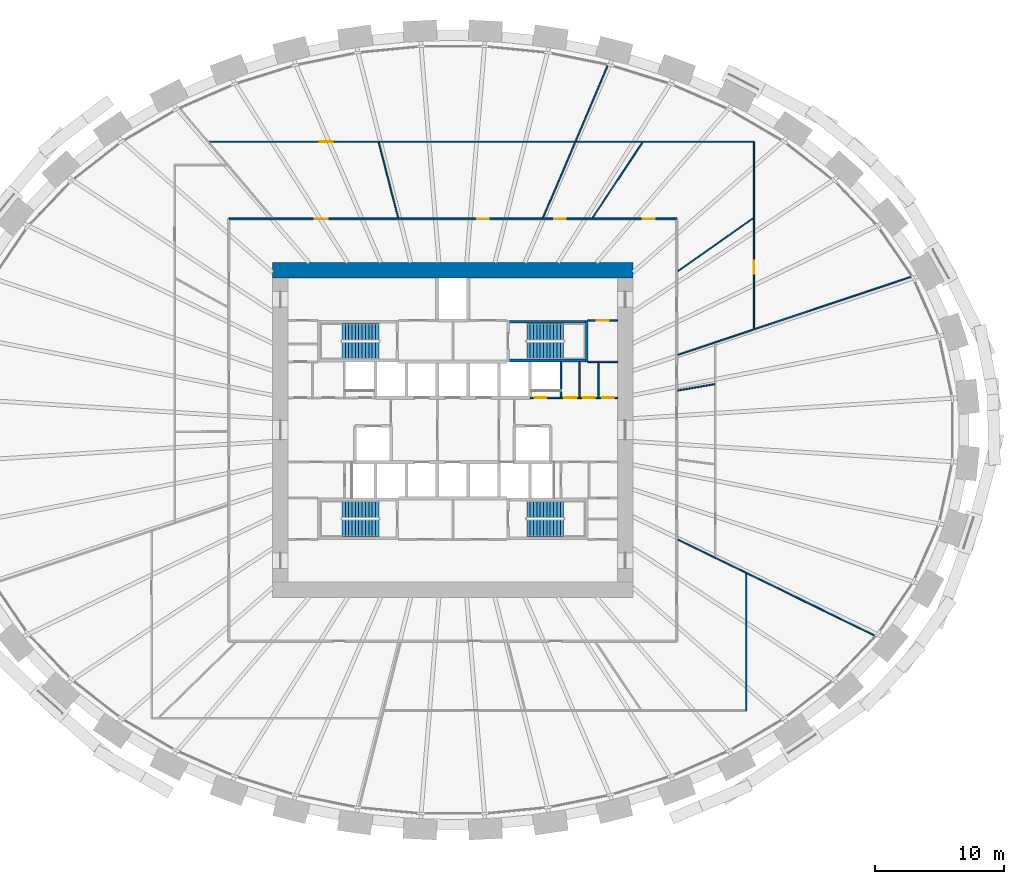
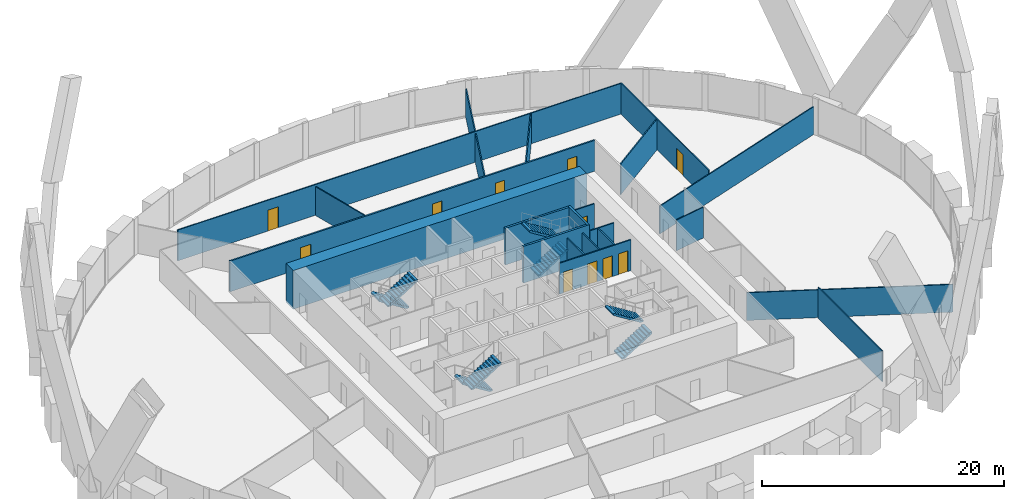
# One storey, part 10 of 12: 21 walls, 11 doors, 8 stair flights, 11 openings, 4 elements without a shape of their own.
"""IFC4 building model written with IfcOpenShell, lengths in metres."""

from ifc_helpers import new_model, si_unit, direction, frame, frame_2d, origin, place, context, subcontext, project, spatial, polyline, rectangle, outline, extrude, source, transform, mapped, material, layer, layer_set, type_object, element, fill, aggregate, save


model = new_model("IFC4")

# Units and contexts
model_context = context("Model", 3, precision=1e-05, world=origin(), true_north=direction((0.0, 1.0)))
body_context = subcontext(model_context, "Body", "Model", "MODEL_VIEW")
ifc_project = project(units=[si_unit("LENGTHUNIT", "METRE"), si_unit("AREAUNIT", "SQUARE_METRE"), si_unit("VOLUMEUNIT", "CUBIC_METRE"), si_unit("PLANEANGLEUNIT", "RADIAN"), si_unit("MASSUNIT", "GRAM", prefix="KILO")], contexts=[model_context])

# Site, building, storey
site_placement = place(None, origin())
site = spatial("IfcSite", under=ifc_project, at=site_placement, CompositionType="ELEMENT")
building_placement = place(site_placement, origin())
building = spatial("IfcBuilding", under=site, at=building_placement, Name="Embergate Tower", CompositionType="ELEMENT")
storey_placement = place(building_placement, frame((0.0, 0.0, 45.800048828125)))
storey = spatial("IfcBuildingStorey", under=building, at=storey_placement, Name="L07", CompositionType="ELEMENT", Elevation=45.800048828125)

# Walls
ifc_material_1 = material(Name="Concrete C80", Category="concrete")
ifc_layer_1 = layer(ifc_material_1, 1.199951171875)
ifc_layer_set_1 = layer_set([ifc_layer_1], Name="Concrete C80")
wall_type_1 = type_object("IfcWallType", Name="Core outer wall C80 1200", PredefinedType="SHEAR", material=ifc_layer_set_1)
shared_shape_1 = source(origin(), body_context, "Body", "SweptSolid", [
    extrude(rectangle(XDim=28.0, YDim=1.199951171875, at=frame_2d((14.0, 0.0))), origin(), (0.0, 0.0, 1.0), 3.89990234375),
])
wall_1_placement = place(storey_placement, frame((-14.0, 12.39990234375, -0.199951171875), z_axis=(0.0, 0.0, 1.0), x_axis=(1.0, 0.0, 0.0)))
element("IfcWall", 1, at=wall_1_placement, inside=storey, type_object=wall_type_1, Name="CW-L07-N", PredefinedType="SHEAR", context=body_context, shape_type="MappedRepresentation", body=[
    mapped(shared_shape_1, transform((0.0, 0.0, 0.0))),
])
ifc_material_2 = material(Name="Concrete C50", Category="concrete")
ifc_layer_2 = layer(ifc_material_2, 0.199951171875)
ifc_layer_set_2 = layer_set([ifc_layer_2], Name="Concrete C50")
wall_type_2 = type_object("IfcWallType", Name="Stair enclosure wall reinforced concrete 250", PredefinedType="SHEAR", material=ifc_layer_set_2)
shared_shape_2 = source(origin(), body_context, "Body", "SweptSolid", [
    extrude(rectangle(XDim=6.300048828125, YDim=0.199951171875, at=frame_2d((3.14990234375, 0.0))), origin(), (0.0, 0.0, 1.0), 3.699951171875),
])
for number, where, z_axis, x_axis, name in (
    (2, (10.5, 5.39990234375, 0.0), (0.0, 0.0, 1.0), (-1.0, 0.0, 0.0), "SE-1 wall"),
    (3, (10.5, 8.39990234375, 0.0), (0.0, 0.0, 1.0), (-1.0, 0.0, 0.0), "SE-1 wall"),
):
    element("IfcWall", number, at=place(storey_placement, frame(where, z_axis=z_axis, x_axis=x_axis)), inside=storey, type_object=wall_type_2, Name=name, PredefinedType="SHEAR", context=body_context, shape_type="MappedRepresentation", body=[
        mapped(shared_shape_2, transform((0.0, 0.0, 0.0))),
    ])
shared_shape_3 = source(origin(), body_context, "Body", "SweptSolid", [
    extrude(rectangle(XDim=3.199951171875, YDim=0.199951171875, at=frame_2d((1.60009765625, 0.0))), origin(), (0.0, 0.0, 1.0), 3.699951171875),
])
wall_2_placement = place(storey_placement, frame((10.39990234375, 5.300048828125, 0.0), z_axis=(0.0, 0.0, 1.0), x_axis=(0.0, 1.0, 0.0)))
element("IfcWall", 4, at=wall_2_placement, inside=storey, type_object=wall_type_2, Name="SE-1 wall", PredefinedType="SHEAR", context=body_context, shape_type="MappedRepresentation", body=[
    mapped(shared_shape_3, transform((0.0, 0.0, 0.0))),
])

# Wall, openings, doors
ifc_material_3 = material(Name="Corridor wall dry-lined 150")
ifc_layer_3 = layer(ifc_material_3, 0.14990234375)
ifc_layer_set_3 = layer_set([ifc_layer_3], Name="Corridor wall dry-lined 150")
wall_type_3 = type_object("IfcWallType", Name="Corridor wall dry-lined 150", PredefinedType="PARTITIONING", material=ifc_layer_set_3)
shared_shape_4 = source(origin(), body_context, "Body", "SweptSolid", [
    extrude(rectangle(XDim=34.7998046875, YDim=0.14990234375, at=frame_2d((17.39990234375, 0.0))), origin(), (0.0, 0.0, 1.0), 3.099853515625),
])
wall_3_placement = place(storey_placement, frame((-17.39990234375, 16.39990234375, 0.0), z_axis=(0.0, 0.0, 1.0), x_axis=(1.0, 0.0, 0.0)))
wall_3 = element("IfcWall", 5, at=wall_3_placement, inside=storey, type_object=wall_type_3, Name="IP-2 wall", PredefinedType="PARTITIONING", context=body_context, shape_type="MappedRepresentation", body=[
    mapped(shared_shape_4, transform((0.0, 0.0, 0.0))),
])
shared_shape_5 = source(origin(), body_context, "Body", "SweptSolid", [
    extrude(rectangle(XDim=0.89990234375, YDim=2.10009765625, at=frame_2d((0.449951171875, 1.050048828125))), frame((0.0, 0.0849609375, 0.0), z_axis=(0.0, -1.0, 0.0), x_axis=(1.0, 0.0, 0.0)), (0.0, 0.0, 1.0), 0.169921875),
])
opening_1_placement = place(wall_3_placement, frame((32.176025390625, 0.0, 0.0)))
opening_1 = element("IfcOpeningElement", 6, at=opening_1_placement, cuts=wall_3, Name="Opening IF-1c", PredefinedType="OPENING", context=body_context, shape_type="MappedRepresentation", body=[
    mapped(shared_shape_5, transform((0.0, 0.0, 0.0))),
])
opening_2_placement = place(wall_3_placement, frame((25.281982421875, 0.0, 0.0)))
opening_2 = element("IfcOpeningElement", 7, at=opening_2_placement, cuts=wall_3, Name="Opening IF-1c", PredefinedType="OPENING", context=body_context, shape_type="MappedRepresentation", body=[
    mapped(shared_shape_5, transform((0.0, 0.0, 0.0))),
])
opening_3_placement = place(wall_3_placement, frame((19.294921875, 0.0, 0.0)))
opening_3 = element("IfcOpeningElement", 8, at=opening_3_placement, cuts=wall_3, Name="Opening IF-1c", PredefinedType="OPENING", context=body_context, shape_type="MappedRepresentation", body=[
    mapped(shared_shape_5, transform((0.0, 0.0, 0.0))),
])
shared_shape_6 = source(origin(), body_context, "Body", "SweptSolid", [
    extrude(rectangle(XDim=1.0, YDim=2.10009765625, at=frame_2d((0.5, 1.050048828125))), frame((0.0, 0.0849609375, 0.0), z_axis=(0.0, -1.0, 0.0), x_axis=(1.0, 0.0, 0.0)), (0.0, 0.0, 1.0), 0.169921875),
])
opening_4_placement = place(wall_3_placement, frame((6.69091796875, 0.0, 0.0)))
opening_4 = element("IfcOpeningElement", 9, at=opening_4_placement, cuts=wall_3, Name="Opening ID-2", PredefinedType="OPENING", context=body_context, shape_type="MappedRepresentation", body=[
    mapped(shared_shape_6, transform((0.0, 0.0, 0.0))),
])
ifc_material_4 = material(Name="Escape fire door 900")
door_type_1 = type_object("IfcDoorType", Name="Escape fire door 900", OperationType="SINGLE_SWING_LEFT", PredefinedType="DOOR", material=ifc_material_4)
shared_shape_7 = source(origin(), body_context, "Body", "SweptSolid", [
    extrude(rectangle(XDim=0.89990234375, YDim=2.10009765625, at=frame_2d((0.449951171875, 1.050048828125))), frame((0.0, 0.02490234375, 0.0), z_axis=(0.0, -1.0, 0.0), x_axis=(1.0, 0.0, 0.0)), (0.0, 0.0, 1.0), 0.050048828125),
])
door_1_placement = place(opening_1_placement, origin())
door_1 = element("IfcDoor", 10, at=door_1_placement, inside=storey, type_object=door_type_1, Name="IF-1 door", OperationType="SINGLE_SWING_LEFT", OverallHeight=2.10009765625, OverallWidth=0.89990234375, PredefinedType="DOOR", context=body_context, shape_type="MappedRepresentation", body=[
    mapped(shared_shape_7, transform((0.0, 0.0, 0.0))),
])
fill(opening_1, door_1)
door_2_placement = place(opening_2_placement, origin())
door_2 = element("IfcDoor", 11, at=door_2_placement, inside=storey, type_object=door_type_1, Name="IF-1 door", OperationType="SINGLE_SWING_LEFT", OverallHeight=2.10009765625, OverallWidth=0.89990234375, PredefinedType="DOOR", context=body_context, shape_type="MappedRepresentation", body=[
    mapped(shared_shape_7, transform((0.0, 0.0, 0.0))),
])
fill(opening_2, door_2)
door_3_placement = place(opening_3_placement, origin())
door_3 = element("IfcDoor", 12, at=door_3_placement, inside=storey, type_object=door_type_1, Name="IF-1 door", OperationType="SINGLE_SWING_RIGHT", OverallHeight=2.10009765625, OverallWidth=0.89990234375, PredefinedType="DOOR", context=body_context, shape_type="MappedRepresentation", body=[
    mapped(shared_shape_7, transform((0.0, 0.0, 0.0))),
])
fill(opening_3, door_3)
ifc_material_5 = material(Name="Interior door 1000")
door_type_2 = type_object("IfcDoorType", Name="Interior door 1000", OperationType="SINGLE_SWING_LEFT", PredefinedType="DOOR", material=ifc_material_5)
shared_shape_8 = source(origin(), body_context, "Body", "SweptSolid", [
    extrude(rectangle(XDim=1.0, YDim=2.10009765625, at=frame_2d((0.5, 1.050048828125))), frame((0.0, 0.02490234375, 0.0), z_axis=(0.0, -1.0, 0.0), x_axis=(1.0, 0.0, 0.0)), (0.0, 0.0, 1.0), 0.050048828125),
])
door_4_placement = place(opening_4_placement, origin())
door_4 = element("IfcDoor", 13, at=door_4_placement, inside=storey, type_object=door_type_2, Name="ID-2 door", OperationType="SINGLE_SWING_RIGHT", OverallHeight=2.10009765625, OverallWidth=1.0, PredefinedType="DOOR", context=body_context, shape_type="MappedRepresentation", body=[
    mapped(shared_shape_8, transform((0.0, 0.0, 0.0))),
])
fill(opening_4, door_4)

# Wall, opening, door
ifc_material_6 = material(Name="Partition dry-lined 100")
ifc_layer_4 = layer(ifc_material_6, 0.10009765625)
ifc_layer_set_4 = layer_set([ifc_layer_4], Name="Partition dry-lined 100")
wall_type_4 = type_object("IfcWallType", Name="Partition dry-lined 100", PredefinedType="PARTITIONING", material=ifc_layer_set_4)
shared_shape_9 = source(origin(), body_context, "Body", "SweptSolid", [
    extrude(rectangle(XDim=14.512939453125, YDim=0.10009765625, at=frame_2d((7.25634765625, 0.0))), origin(), (0.0, 0.0, 1.0), 3.099853515625),
])
wall_4_placement = place(storey_placement, frame((23.39990234375, 22.39990234375, 0.0), z_axis=(0.0, 0.0, 1.0), x_axis=(0.0, -1.0, 0.0)))
wall_4 = element("IfcWall", 14, at=wall_4_placement, inside=storey, type_object=wall_type_4, Name="IP-1 wall", PredefinedType="PARTITIONING", context=body_context, shape_type="MappedRepresentation", body=[
    mapped(shared_shape_9, transform((0.0, 0.0, 0.0))),
])
shared_shape_10 = source(origin(), body_context, "Body", "SweptSolid", [
    extrude(rectangle(XDim=1.0, YDim=2.10009765625, at=frame_2d((0.5, 1.050048828125))), frame((0.0, 0.06005859375, 0.0), z_axis=(0.0, -1.0, 0.0), x_axis=(1.0, 0.0, 0.0)), (0.0, 0.0, 1.0), 0.1201171875),
])
opening_5_placement = place(wall_4_placement, frame((9.2451171875, 0.0, 0.0)))
opening_5 = element("IfcOpeningElement", 15, at=opening_5_placement, cuts=wall_4, Name="Opening ID-2", PredefinedType="OPENING", context=body_context, shape_type="MappedRepresentation", body=[
    mapped(shared_shape_10, transform((0.0, 0.0, 0.0))),
])
door_5_placement = place(opening_5_placement, origin())
door_5 = element("IfcDoor", 16, at=door_5_placement, inside=storey, type_object=door_type_2, Name="ID-2 door", OperationType="SINGLE_SWING_RIGHT", OverallHeight=2.10009765625, OverallWidth=1.0, PredefinedType="DOOR", context=body_context, shape_type="MappedRepresentation", body=[
    mapped(shared_shape_8, transform((0.0, 0.0, 0.0))),
])
fill(opening_5, door_5)

# Walls
ifc_material_7 = material(Name="Partition dry-lined 100 wet")
ifc_layer_5 = layer(ifc_material_7, 0.10009765625)
ifc_layer_set_5 = layer_set([ifc_layer_5], Name="Partition dry-lined 100 wet")
wall_type_5 = type_object("IfcWallType", Name="Partition dry-lined 100 wet", PredefinedType="PLUMBINGWALL", material=ifc_layer_set_5)
shared_shape_11 = source(origin(), body_context, "Body", "SweptSolid", [
    extrude(rectangle(XDim=19.182861328125, YDim=0.10009765625, at=frame_2d((9.59130859375, 0.0))), origin(), (0.0, 0.0, 1.0), 2.800048828125),
])
wall_5_placement = place(storey_placement, frame((17.490966796875, 5.843017578125, 0.0), z_axis=(0.0, 0.0, 1.0), x_axis=(0.948457788594, 0.316903492022, 0.0)))
element("IfcWall", 17, at=wall_5_placement, inside=storey, type_object=wall_type_5, Name="IP-1 wall", PredefinedType="PLUMBINGWALL", context=body_context, shape_type="MappedRepresentation", body=[
    mapped(shared_shape_11, transform((0.0, 0.0, 0.0))),
])
shared_shape_12 = source(origin(), body_context, "Body", "SweptSolid", [
    extrude(rectangle(XDim=10.613037109375, YDim=0.10009765625, at=frame_2d((5.306640625, 0.0))), origin(), (0.0, 0.0, 1.0), 3.099853515625),
])
wall_6_placement = place(storey_placement, frame((22.800048828125, -21.800048828125, 0.0), z_axis=(0.0, 0.0, 1.0), x_axis=(0.0, 1.0, 0.0)))
element("IfcWall", 18, at=wall_6_placement, inside=storey, type_object=wall_type_4, Name="IP-1 wall", PredefinedType="PARTITIONING", context=body_context, shape_type="MappedRepresentation", body=[
    mapped(shared_shape_12, transform((0.0, 0.0, 0.0))),
])
shared_shape_13 = source(origin(), body_context, "Body", "SweptSolid", [
    extrude(rectangle(XDim=17.082275390625, YDim=0.10009765625, at=frame_2d((8.541015625, 0.0))), origin(), (0.0, 0.0, 1.0), 2.800048828125),
])
wall_7_placement = place(storey_placement, frame((32.85400390625, -16.0048828125, 0.0), z_axis=(0.0, 0.0, 1.0), x_axis=(-0.899004297185, 0.437939805958, 0.0)))
element("IfcWall", 19, at=wall_7_placement, inside=storey, type_object=wall_type_4, Name="IP-1 wall", PredefinedType="PARTITIONING", context=body_context, shape_type="MappedRepresentation", body=[
    mapped(shared_shape_13, transform((0.0, 0.0, 0.0))),
])
shared_shape_14 = source(origin(), body_context, "Body", "SweptSolid", [
    extrude(rectangle(XDim=2.900634765625, YDim=0.10009765625, at=frame_2d((1.4501953125, 0.0))), origin(), (0.0, 0.0, 1.0), 3.099853515625),
])
wall_8_placement = place(storey_placement, frame((17.48388671875, 3.06396484375, 0.0), z_axis=(0.0, 0.0, 1.0), x_axis=(0.985030824451, 0.172378290052, 0.0)))
element("IfcWall", 20, at=wall_8_placement, inside=storey, type_object=wall_type_5, Name="IP-1 wall", PredefinedType="PLUMBINGWALL", context=body_context, shape_type="MappedRepresentation", body=[
    mapped(shared_shape_14, transform((0.0, 0.0, 0.0))),
])
shared_shape_15 = source(origin(), body_context, "Body", "SweptSolid", [
    extrude(rectangle(XDim=7.117919921875, YDim=0.10009765625, at=frame_2d((3.55908203125, 0.0))), origin(), (0.0, 0.0, 1.0), 3.099853515625),
])
wall_9_placement = place(storey_placement, frame((17.50390625, 12.343017578125, 0.0), z_axis=(0.0, 0.0, 1.0), x_axis=(0.817243429719, 0.576292613679, 0.0)))
element("IfcWall", 21, at=wall_9_placement, inside=storey, type_object=wall_type_4, Name="IP-1 wall", PredefinedType="PARTITIONING", context=body_context, shape_type="MappedRepresentation", body=[
    mapped(shared_shape_15, transform((0.0, 0.0, 0.0))),
])
shared_shape_16 = source(origin(), body_context, "Body", "SweptSolid", [
    extrude(rectangle(XDim=6.9716796875, YDim=0.10009765625, at=frame_2d((3.48583984375, 0.0))), origin(), (0.0, 0.0, 1.0), 3.099853515625),
])
wall_10_placement = place(storey_placement, frame((10.8798828125, 16.5029296875, 0.0), z_axis=(0.0, 0.0, 1.0), x_axis=(0.55053140099, 0.834814456346, 0.0)))
element("IfcWall", 22, at=wall_10_placement, inside=storey, type_object=wall_type_4, Name="IP-1 wall", PredefinedType="PARTITIONING", context=body_context, shape_type="MappedRepresentation", body=[
    mapped(shared_shape_16, transform((0.0, 0.0, 0.0))),
])

# Wall, opening, door
shared_shape_17 = source(origin(), body_context, "Body", "SweptSolid", [
    extrude(rectangle(XDim=42.31201171875, YDim=0.10009765625, at=frame_2d((21.156005859375, 0.0))), origin(), (0.0, 0.0, 1.0), 3.099853515625),
])
wall_11_placement = place(storey_placement, frame((-18.912109375, 22.39990234375, 0.0), z_axis=(0.0, 0.0, 1.0), x_axis=(1.0, 0.0, 0.0)))
wall_11 = element("IfcWall", 23, at=wall_11_placement, inside=storey, type_object=wall_type_4, Name="IP-1 wall", PredefinedType="PARTITIONING", context=body_context, shape_type="MappedRepresentation", body=[
    mapped(shared_shape_17, transform((0.0, 0.0, 0.0))),
])
opening_6_placement = place(wall_11_placement, frame((8.5810546875, 0.0, 0.0)))
opening_6 = element("IfcOpeningElement", 24, at=opening_6_placement, cuts=wall_11, Name="Opening ID-2", PredefinedType="OPENING", context=body_context, shape_type="MappedRepresentation", body=[
    mapped(shared_shape_10, transform((0.0, 0.0, 0.0))),
])
door_6_placement = place(opening_6_placement, origin())
door_6 = element("IfcDoor", 25, at=door_6_placement, inside=storey, type_object=door_type_2, Name="ID-2 door", OperationType="SINGLE_SWING_RIGHT", OverallHeight=2.10009765625, OverallWidth=1.0, PredefinedType="DOOR", context=body_context, shape_type="MappedRepresentation", body=[
    mapped(shared_shape_8, transform((0.0, 0.0, 0.0))),
])
fill(opening_6, door_6)

# Walls
shared_shape_18 = source(origin(), body_context, "Body", "SweptSolid", [
    extrude(rectangle(XDim=12.917236328125, YDim=0.10009765625, at=frame_2d((6.45849609375, 0.0))), origin(), (0.0, 0.0, 1.0), 2.89990234375),
])
wall_12_placement = place(storey_placement, frame((12.069091796875, 28.382080078125, 0.0), z_axis=(0.0, 0.0, 1.0), x_axis=(-0.391351546057, -0.920241254997, 0.0)))
element("IfcWall", 26, at=wall_12_placement, inside=storey, type_object=wall_type_4, Name="IP-1 wall", PredefinedType="PARTITIONING", context=body_context, shape_type="MappedRepresentation", body=[
    mapped(shared_shape_18, transform((0.0, 0.0, 0.0))),
])
shared_shape_19 = source(origin(), body_context, "Body", "SweptSolid", [
    extrude(rectangle(XDim=6.03955078125, YDim=0.10009765625, at=frame_2d((3.019775390625, 0.0))), origin(), (0.0, 0.0, 1.0), 2.89990234375),
])
wall_13_placement = place(storey_placement, frame((-4.24609375, 16.488037109375, 0.0), z_axis=(0.0, 0.0, 1.0), x_axis=(-0.249330274316, 0.968418511961, 0.0)))
element("IfcWall", 27, at=wall_13_placement, inside=storey, type_object=wall_type_4, Name="IP-1 wall", PredefinedType="PARTITIONING", context=body_context, shape_type="MappedRepresentation", body=[
    mapped(shared_shape_19, transform((0.0, 0.0, 0.0))),
])

# Wall, openings, doors
ifc_material_8 = material(Name="Core partition blockwork 120")
ifc_layer_6 = layer(ifc_material_8, 0.1201171875)
ifc_layer_set_6 = layer_set([ifc_layer_6], Name="Core partition blockwork 120")
wall_type_6 = type_object("IfcWallType", Name="Core partition blockwork 120", PredefinedType="PARTITIONING", material=ifc_layer_set_6)
shared_shape_20 = source(origin(), body_context, "Body", "SweptSolid", [
    extrude(rectangle(XDim=6.800048828125, YDim=0.1201171875, at=frame_2d((3.39990234375, 0.0))), origin(), (0.0, 0.0, 1.0), 3.099853515625),
])
wall_14_placement = place(storey_placement, frame((6.0, 2.5, 0.0), z_axis=(0.0, 0.0, 1.0), x_axis=(1.0, 0.0, 0.0)))
wall_14 = element("IfcWall", 28, at=wall_14_placement, inside=storey, type_object=wall_type_6, Name="IP-3 wall", PredefinedType="PARTITIONING", context=body_context, shape_type="MappedRepresentation", body=[
    mapped(shared_shape_20, transform((0.0, 0.0, 0.0))),
])
shared_shape_21 = source(origin(), body_context, "Body", "SweptSolid", [
    extrude(rectangle(XDim=0.89990234375, YDim=2.10009765625, at=frame_2d((0.449951171875, 1.050048828125))), frame((0.0, 0.070068359375, 0.0), z_axis=(0.0, -1.0, 0.0), x_axis=(1.0, 0.0, 0.0)), (0.0, 0.0, 1.0), 0.14013671875),
])
opening_7_placement = place(wall_14_placement, frame((0.35009765625, 0.0, 0.0)))
opening_7 = element("IfcOpeningElement", 29, at=opening_7_placement, cuts=wall_14, Name="Opening ID-1", PredefinedType="OPENING", context=body_context, shape_type="MappedRepresentation", body=[
    mapped(shared_shape_21, transform((0.0, 0.0, 0.0))),
])
opening_8_placement = place(wall_14_placement, frame((2.676025390625, 0.0, 0.0)))
opening_8 = element("IfcOpeningElement", 30, at=opening_8_placement, cuts=wall_14, Name="Opening ID-1", PredefinedType="OPENING", context=body_context, shape_type="MappedRepresentation", body=[
    mapped(shared_shape_21, transform((0.0, 0.0, 0.0))),
])
opening_9_placement = place(wall_14_placement, frame((4.1279296875, 0.0, 0.0)))
opening_9 = element("IfcOpeningElement", 31, at=opening_9_placement, cuts=wall_14, Name="Opening ID-1", PredefinedType="OPENING", context=body_context, shape_type="MappedRepresentation", body=[
    mapped(shared_shape_21, transform((0.0, 0.0, 0.0))),
])
opening_10_placement = place(wall_14_placement, frame((5.60205078125, 0.0, 0.0)))
opening_10 = element("IfcOpeningElement", 32, at=opening_10_placement, cuts=wall_14, Name="Opening ID-1", PredefinedType="OPENING", context=body_context, shape_type="MappedRepresentation", body=[
    mapped(shared_shape_21, transform((0.0, 0.0, 0.0))),
])
ifc_material_9 = material(Name="Interior door 900")
door_type_3 = type_object("IfcDoorType", Name="Interior door 900", OperationType="SINGLE_SWING_LEFT", PredefinedType="DOOR", material=ifc_material_9)
door_7_placement = place(opening_7_placement, origin())
door_7 = element("IfcDoor", 33, at=door_7_placement, inside=storey, type_object=door_type_3, Name="ID-1 door", OperationType="SINGLE_SWING_LEFT", OverallHeight=2.10009765625, OverallWidth=0.89990234375, PredefinedType="DOOR", context=body_context, shape_type="MappedRepresentation", body=[
    mapped(shared_shape_7, transform((0.0, 0.0, 0.0))),
])
fill(opening_7, door_7)
door_8_placement = place(opening_8_placement, origin())
door_8 = element("IfcDoor", 34, at=door_8_placement, inside=storey, type_object=door_type_3, Name="ID-1 door", OperationType="SINGLE_SWING_RIGHT", OverallHeight=2.10009765625, OverallWidth=0.89990234375, PredefinedType="DOOR", context=body_context, shape_type="MappedRepresentation", body=[
    mapped(shared_shape_7, transform((0.0, 0.0, 0.0))),
])
fill(opening_8, door_8)
door_9_placement = place(opening_9_placement, origin())
door_9 = element("IfcDoor", 35, at=door_9_placement, inside=storey, type_object=door_type_3, Name="ID-1 door", OperationType="SINGLE_SWING_RIGHT", OverallHeight=2.10009765625, OverallWidth=0.89990234375, PredefinedType="DOOR", context=body_context, shape_type="MappedRepresentation", body=[
    mapped(shared_shape_7, transform((0.0, 0.0, 0.0))),
])
fill(opening_9, door_9)
door_10_placement = place(opening_10_placement, origin())
door_10 = element("IfcDoor", 36, at=door_10_placement, inside=storey, type_object=door_type_3, Name="ID-1 door", OperationType="SINGLE_SWING_LEFT", OverallHeight=2.10009765625, OverallWidth=0.89990234375, PredefinedType="DOOR", context=body_context, shape_type="MappedRepresentation", body=[
    mapped(shared_shape_7, transform((0.0, 0.0, 0.0))),
])
fill(opening_10, door_10)

# Walls
shared_shape_22 = source(origin(), body_context, "Body", "SweptSolid", [
    extrude(rectangle(XDim=2.739990234375, YDim=0.1201171875, at=frame_2d((1.3701171875, 0.0))), origin(), (0.0, 0.0, 1.0), 3.099853515625),
])
for number, where, z_axis, x_axis, name in (
    (37, (8.39990234375, 2.56005859375, 0.0), (0.0, 0.0, 1.0), (0.0, 1.0, 0.0), "IP-3 wall"),
    (38, (9.85205078125, 2.56005859375, 0.0), (0.0, 0.0, 1.0), (0.0, 1.0, 0.0), "IP-3 wall"),
):
    element("IfcWall", number, at=place(storey_placement, frame(where, z_axis=z_axis, x_axis=x_axis)), inside=storey, type_object=wall_type_6, Name=name, PredefinedType="PARTITIONING", context=body_context, shape_type="MappedRepresentation", body=[
        mapped(shared_shape_22, transform((0.0, 0.0, 0.0))),
    ])

# Wall, opening, door
shared_shape_23 = source(origin(), body_context, "Body", "SweptSolid", [
    extrude(rectangle(XDim=2.300048828125, YDim=0.1201171875, at=frame_2d((1.14990234375, 0.0))), origin(), (0.0, 0.0, 1.0), 3.099853515625),
])
wall_15_placement = place(storey_placement, frame((10.5, 8.5, 0.0), z_axis=(0.0, 0.0, 1.0), x_axis=(1.0, 0.0, 0.0)))
wall_15 = element("IfcWall", 39, at=wall_15_placement, inside=storey, type_object=wall_type_6, Name="IP-3 wall", PredefinedType="PARTITIONING", context=body_context, shape_type="MappedRepresentation", body=[
    mapped(shared_shape_23, transform((0.0, 0.0, 0.0))),
])
opening_11_placement = place(wall_15_placement, frame((0.699951171875, 0.0, 0.0)))
opening_11 = element("IfcOpeningElement", 40, at=opening_11_placement, cuts=wall_15, Name="Opening ID-1", PredefinedType="OPENING", context=body_context, shape_type="MappedRepresentation", body=[
    mapped(shared_shape_21, transform((0.0, 0.0, 0.0))),
])
door_11_placement = place(opening_11_placement, origin())
door_11 = element("IfcDoor", 41, at=door_11_placement, inside=storey, type_object=door_type_3, Name="ID-1 door", OperationType="SINGLE_SWING_RIGHT", OverallHeight=2.10009765625, OverallWidth=0.89990234375, PredefinedType="DOOR", context=body_context, shape_type="MappedRepresentation", body=[
    mapped(shared_shape_7, transform((0.0, 0.0, 0.0))),
])
fill(opening_11, door_11)

# Walls
wall_16_placement = place(storey_placement, frame((12.800048828125, 5.300048828125, 0.0), z_axis=(0.0, 0.0, 1.0), x_axis=(-1.0, 0.0, 0.0)))
element("IfcWall", 42, at=wall_16_placement, inside=storey, type_object=wall_type_6, Name="IP-3 wall", PredefinedType="PARTITIONING", context=body_context, shape_type="MappedRepresentation", body=[
    mapped(shared_shape_23, transform((0.0, 0.0, 0.0))),
])
shared_shape_24 = source(origin(), body_context, "Body", "SweptSolid", [
    extrude(rectangle(XDim=2.679931640625, YDim=0.1201171875, at=frame_2d((1.33984375, 0.0))), origin(), (0.0, 0.0, 1.0), 3.099853515625),
])
wall_17_placement = place(storey_placement, frame((11.303955078125, 2.56005859375, 0.0), z_axis=(0.0, 0.0, 1.0), x_axis=(0.0, 1.0, 0.0)))
element("IfcWall", 43, at=wall_17_placement, inside=storey, type_object=wall_type_6, Name="IP-3 wall", PredefinedType="PARTITIONING", context=body_context, shape_type="MappedRepresentation", body=[
    mapped(shared_shape_24, transform((0.0, 0.0, 0.0))),
])

# Stair, stair flights
ifc_material_10 = material(Name="Exit stair")
stair_type = type_object("IfcStairType", Name="Exit stair", PredefinedType="HALF_TURN_STAIR", material=ifc_material_10)
stair_1_placement = place(storey_placement, origin())
stair_1 = element("IfcStair", 44, at=stair_1_placement, inside=storey, type_object=stair_type, Name="L07 Exit stair 1", PredefinedType="HALF_TURN_STAIR")
ifc_material_11 = material(Name="Concrete C40", Category="concrete")
stair_flight_type = type_object("IfcStairFlightType", Name="Stair flight reinforced concrete", PredefinedType="STRAIGHT", material=ifc_material_11)
shared_shape_25 = source(origin(), body_context, "Body", "SweptSolid", [
    extrude(outline(polyline([(0.0, 0.0), (0.0, 0.16259765625), (0.260009765625, 0.16259765625), (0.260009765625, 0.324951171875), (0.52001953125, 0.324951171875), (0.52001953125, 0.487548828125), (0.780029296875, 0.487548828125), (0.780029296875, 0.64990234375), (1.0400390625, 0.64990234375), (1.0400390625, 0.8125), (1.300048828125, 0.8125), (1.300048828125, 0.97509765625), (1.56005859375, 0.97509765625), (1.56005859375, 1.137451171875), (1.820068359375, 1.137451171875), (1.820068359375, 1.300048828125), (2.080078125, 1.300048828125), (2.080078125, 1.46240234375), (2.340087890625, 1.46240234375), (2.340087890625, 1.625), (2.60009765625, 1.625), (2.60009765625, 1.78759765625), (2.860107421875, 1.78759765625), (2.860107421875, 1.949951171875), (2.860107421875, 1.61083984375), (0.28271484375, 0.0), (0.0, 0.0)])), frame((0.0, 0.675048828125, 0.0), z_axis=(0.0, -1.0, 0.0), x_axis=(1.0, 0.0, 0.0)), (0.0, 0.0, 1.0), 1.35009765625),
])
stair_flight_1_placement = place(storey_placement, frame((-5.75, 7.625, 0.0), z_axis=(0.0, 0.0, 1.0), x_axis=(-1.0, 0.0, 0.0)))
stair_flight_1 = element("IfcStairFlight", 45, at=stair_flight_1_placement, type_object=stair_flight_type, Name="ST1 flight 1", NumberOfRisers=12, NumberOfTreads=11, PredefinedType="STRAIGHT", RiserHeight=0.1625, TreadLength=0.26, context=body_context, shape_type="MappedRepresentation", body=[
    mapped(shared_shape_25, transform((0.0, 0.0, 0.0))),
])
stair_flight_2_placement = place(storey_placement, frame((-8.610107421875, 6.175048828125, 1.949951171875), z_axis=(0.0, 0.0, 1.0), x_axis=(1.0, 0.0, 0.0)))
stair_flight_2 = element("IfcStairFlight", 46, at=stair_flight_2_placement, type_object=stair_flight_type, Name="ST1 flight 2", NumberOfRisers=12, NumberOfTreads=11, PredefinedType="STRAIGHT", RiserHeight=0.1625, TreadLength=0.26, context=body_context, shape_type="MappedRepresentation", body=[
    mapped(shared_shape_25, transform((0.0, 0.0, 0.0))),
])
aggregate(stair_1, [stair_flight_1, stair_flight_2])

stair_2_placement = place(storey_placement, origin())
stair_2 = element("IfcStair", 47, at=stair_2_placement, inside=storey, type_object=stair_type, Name="L07 Exit stair 2", PredefinedType="HALF_TURN_STAIR")
stair_flight_3_placement = place(storey_placement, frame((5.75, 6.175048828125, 0.0), z_axis=(0.0, 0.0, 1.0), x_axis=(1.0, 0.0, 0.0)))
stair_flight_3 = element("IfcStairFlight", 48, at=stair_flight_3_placement, type_object=stair_flight_type, Name="ST2 flight 1", NumberOfRisers=12, NumberOfTreads=11, PredefinedType="STRAIGHT", RiserHeight=0.1625, TreadLength=0.26, context=body_context, shape_type="MappedRepresentation", body=[
    mapped(shared_shape_25, transform((0.0, 0.0, 0.0))),
])
stair_flight_4_placement = place(storey_placement, frame((8.610107421875, 7.625, 1.949951171875), z_axis=(0.0, 0.0, 1.0), x_axis=(-1.0, 0.0, 0.0)))
stair_flight_4 = element("IfcStairFlight", 49, at=stair_flight_4_placement, type_object=stair_flight_type, Name="ST2 flight 2", NumberOfRisers=12, NumberOfTreads=11, PredefinedType="STRAIGHT", RiserHeight=0.1625, TreadLength=0.26, context=body_context, shape_type="MappedRepresentation", body=[
    mapped(shared_shape_25, transform((0.0, 0.0, 0.0))),
])
aggregate(stair_2, [stair_flight_3, stair_flight_4])

stair_3_placement = place(storey_placement, origin())
stair_3 = element("IfcStair", 50, at=stair_3_placement, inside=storey, type_object=stair_type, Name="L07 Exit stair 3", PredefinedType="HALF_TURN_STAIR")
stair_flight_5_placement = place(storey_placement, frame((-5.75, -6.175048828125, 0.0), z_axis=(0.0, 0.0, 1.0), x_axis=(-1.0, 0.0, 0.0)))
stair_flight_5 = element("IfcStairFlight", 51, at=stair_flight_5_placement, type_object=stair_flight_type, Name="ST3 flight 1", NumberOfRisers=12, NumberOfTreads=11, PredefinedType="STRAIGHT", RiserHeight=0.1625, TreadLength=0.26, context=body_context, shape_type="MappedRepresentation", body=[
    mapped(shared_shape_25, transform((0.0, 0.0, 0.0))),
])
stair_flight_6_placement = place(storey_placement, frame((-8.610107421875, -7.625, 1.949951171875), z_axis=(0.0, 0.0, 1.0), x_axis=(1.0, 0.0, 0.0)))
stair_flight_6 = element("IfcStairFlight", 52, at=stair_flight_6_placement, type_object=stair_flight_type, Name="ST3 flight 2", NumberOfRisers=12, NumberOfTreads=11, PredefinedType="STRAIGHT", RiserHeight=0.1625, TreadLength=0.26, context=body_context, shape_type="MappedRepresentation", body=[
    mapped(shared_shape_25, transform((0.0, 0.0, 0.0))),
])
aggregate(stair_3, [stair_flight_5, stair_flight_6])

stair_4_placement = place(storey_placement, origin())
stair_4 = element("IfcStair", 53, at=stair_4_placement, inside=storey, type_object=stair_type, Name="L07 Exit stair 4", PredefinedType="HALF_TURN_STAIR")
stair_flight_7_placement = place(storey_placement, frame((5.75, -7.625, 0.0), z_axis=(0.0, 0.0, 1.0), x_axis=(1.0, 0.0, 0.0)))
stair_flight_7 = element("IfcStairFlight", 54, at=stair_flight_7_placement, type_object=stair_flight_type, Name="ST4 flight 1", NumberOfRisers=12, NumberOfTreads=11, PredefinedType="STRAIGHT", RiserHeight=0.1625, TreadLength=0.26, context=body_context, shape_type="MappedRepresentation", body=[
    mapped(shared_shape_25, transform((0.0, 0.0, 0.0))),
])
stair_flight_8_placement = place(storey_placement, frame((8.610107421875, -6.175048828125, 1.949951171875), z_axis=(0.0, 0.0, 1.0), x_axis=(-1.0, 0.0, 0.0)))
stair_flight_8 = element("IfcStairFlight", 55, at=stair_flight_8_placement, type_object=stair_flight_type, Name="ST4 flight 2", NumberOfRisers=12, NumberOfTreads=11, PredefinedType="STRAIGHT", RiserHeight=0.1625, TreadLength=0.26, context=body_context, shape_type="MappedRepresentation", body=[
    mapped(shared_shape_25, transform((0.0, 0.0, 0.0))),
])
aggregate(stair_4, [stair_flight_7, stair_flight_8])

save(model, "model.ifc")
